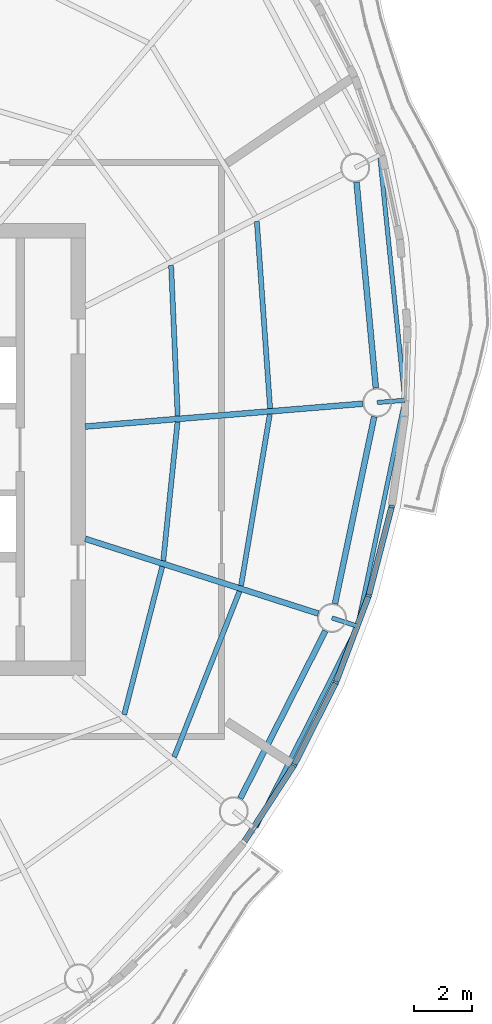
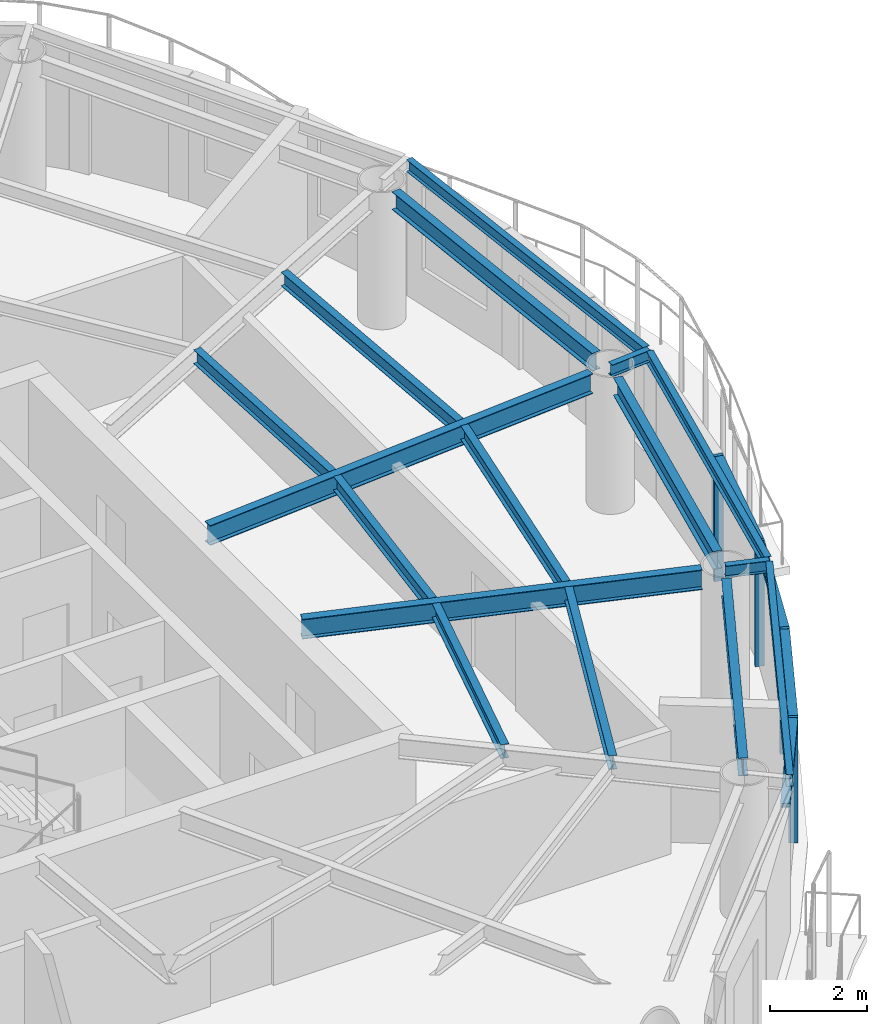
# One storey, part 4 of 13: 16 beams, 8 members, 4 elements without a shape of their own.
"""IFC4 building model written with IfcOpenShell, lengths in metres."""

import ifcopenshell
import ifcopenshell.guid

model = None  # the IFC model being written
_history = None  # IfcOwnerHistory: only IFC2X3 demands one
_inside = {}  # id of a spatial element -> (the spatial element, [elements in it])
_under = {}  # id of a project, library or spatial element -> (it, [spatial elements below it])
_declared = {}  # id of a project -> (the project, [libraries it declares])
_typed = {}  # id of a type object -> (the type object, [elements of that type])
_made_of = {}  # id of a material, layer set ... -> (it, [elements and type objects made of it])


def new_model(schema):
    """Start an empty IFC model of exactly this schema.

    Asked for "IFC4X3", IfcOpenShell would pick the latest addendum, in which some entities
    have other attributes; the version numbers below select the first issue.
    IFC2X3 requires an IfcOwnerHistory on every rooted entity: one is made here for all.
    """
    global model, _history
    if schema == "IFC4X3":
        model = ifcopenshell.file(schema_version=(4, 3, 0, 0))
    else:
        model = ifcopenshell.file(schema=schema)
    _inside.clear()
    _under.clear()
    _declared.clear()
    _typed.clear()
    _made_of.clear()
    _history = None
    if model.schema == "IFC2X3":
        org = make("IfcOrganization", Name="unknown")
        user = make(
            "IfcPersonAndOrganization",
            ThePerson=make("IfcPerson", FamilyName="unknown"),
            TheOrganization=org,
        )
        app = make(
            "IfcApplication",
            ApplicationDeveloper=org,
            Version="unknown",
            ApplicationFullName="unknown",
            ApplicationIdentifier="unknown",
        )
        _history = make(
            "IfcOwnerHistory",
            OwningUser=user,
            OwningApplication=app,
            ChangeAction="ADDED",
            CreationDate=0,
        )
    return model


def make(cls, **values):
    """One entity of the class cls with the attributes given. An attribute that is None is left unset."""
    return model.create_entity(
        cls, **{name: value for name, value in values.items() if value is not None}
    )


def rooted(cls, **values):
    """An entity with a GlobalId (a new one), such as an element, a storey or a relation."""
    return make(cls, GlobalId=ifcopenshell.guid.new(), OwnerHistory=_history, **values)


def si_unit(unit_type, name, prefix=None):
    """IfcSIUnit, for example si_unit("LENGTHUNIT", "METRE", prefix="MILLI")."""
    return make("IfcSIUnit", UnitType=unit_type, Prefix=prefix, Name=name)


def assignment(units):
    """IfcUnitAssignment: the units of a project."""
    return None if units is None else make("IfcUnitAssignment", Units=units)


def point(xyz):
    """IfcCartesianPoint."""
    return None if xyz is None else make("IfcCartesianPoint", Coordinates=xyz)


def direction(xyz):
    """IfcDirection."""
    return None if xyz is None else make("IfcDirection", DirectionRatios=xyz)


def frame(location, z_axis=None, x_axis=None):
    """IfcAxis2Placement3D, a coordinate frame: its origin and axes. An axis left out is left unset."""
    return make(
        "IfcAxis2Placement3D",
        Location=point(location),
        Axis=direction(z_axis),
        RefDirection=direction(x_axis),
    )


def frame_2d(location, x_axis=None):
    """IfcAxis2Placement2D, a coordinate frame in the plane: its origin and x axis."""
    return make(
        "IfcAxis2Placement2D", Location=point(location), RefDirection=direction(x_axis)
    )


def origin():
    """The frame at (0, 0, 0) with its axes left unset."""
    return frame((0.0, 0.0, 0.0))


def origin_2d():
    """The frame at (0, 0) in the plane with its x axis left unset."""
    return frame_2d((0.0, 0.0))


def place(relative_to, where):
    """IfcLocalPlacement: puts the frame where relative to a parent placement (None: the world)."""
    return make(
        "IfcLocalPlacement", PlacementRelTo=relative_to, RelativePlacement=where
    )


def context(
    kind, dimensions, precision=None, world=None, true_north=None, identifier=None
):
    """IfcGeometricRepresentationContext, for example the 3D "Model" context."""
    return make(
        "IfcGeometricRepresentationContext",
        ContextIdentifier=identifier,
        ContextType=kind,
        CoordinateSpaceDimension=dimensions,
        Precision=precision,
        WorldCoordinateSystem=world,
        TrueNorth=true_north,
    )


def subcontext(parent, identifier, kind, view, scale=None):
    """IfcGeometricRepresentationSubContext, for example "Body" below "Model"."""
    return make(
        "IfcGeometricRepresentationSubContext",
        ContextIdentifier=identifier,
        ContextType=kind,
        ParentContext=parent,
        TargetScale=scale,
        TargetView=view,
    )


def project(units=None, contexts=None):
    """IfcProject with its units and contexts."""
    return rooted(
        "IfcProject",
        Name="project",
        RepresentationContexts=contexts,
        UnitsInContext=assignment(units),
    )


def spatial(cls, under=None, at=None, **own):
    """A site, building, storey or space (cls), placed at a placement, below another one or the project."""
    s = rooted(cls, ObjectPlacement=at, **own)
    if under is not None:
        _under.setdefault(under.id(), (under, []))[1].append(s)
    return s


def profile(cls, at=None, kind="AREA", **sizes):
    """A parametric profile (cls). Its sizes go by their IFC names, for example OverallWidth=200.0."""
    return make(cls, ProfileType=kind, Position=at, **sizes)


def rectangle(**sizes):
    """IfcRectangleProfileDef."""
    return profile("IfcRectangleProfileDef", **sizes)


def i_section(**sizes):
    """IfcIShapeProfileDef."""
    return profile("IfcIShapeProfileDef", **sizes)


def extrude(swept, where, along, depth):
    """IfcExtrudedAreaSolid: the profile swept, set in the frame where, extruded along a direction by depth."""
    return make(
        "IfcExtrudedAreaSolid",
        SweptArea=swept,
        Position=where,
        ExtrudedDirection=direction(along),
        Depth=depth,
    )


def shape(context_of_items, identifier, shape_type, items):
    """IfcShapeRepresentation: the items that make up one representation, for example the "Body"."""
    return make(
        "IfcShapeRepresentation",
        ContextOfItems=context_of_items,
        RepresentationIdentifier=identifier,
        RepresentationType=shape_type,
        Items=items,
    )


def material(Name=None, Category=None):
    """IfcMaterial."""
    return make("IfcMaterial", Name=Name, Category=Category)


def material_profile(
    of_material, cross_section, Name=None, Category=None, Priority=None
):
    """IfcMaterialProfile: a cross section and its material."""
    return make(
        "IfcMaterialProfile",
        Name=Name,
        Material=of_material,
        Profile=cross_section,
        Priority=Priority,
        Category=Category,
    )


def profile_set(profiles, Name=None, composite=None):
    """IfcMaterialProfileSet."""
    return make(
        "IfcMaterialProfileSet",
        Name=Name,
        MaterialProfiles=profiles,
        CompositeProfile=composite,
    )


def made_of(thing, what):
    """Note that an element or type object is made of a material, layer set ...; save() writes the relation."""
    if what is not None:
        _made_of.setdefault(what.id(), (what, []))[1].append(thing)
    return thing


def type_object(cls, material=None, **own):
    """A type object (cls), such as IfcWallType, which elements share."""
    return made_of(rooted(cls, **own), material)


def element(
    cls,
    number,
    at=None,
    inside=None,
    cuts=None,
    type_object=None,
    material=None,
    context=None,
    identifier="Body",
    shape_type=None,
    held_by="IfcProductDefinitionShape",
    body=None,
    shapes=None,
    **own,
):
    """One element of the class cls, such as IfcWall. Its Tag is "e" and its number.

    at: its placement. inside: the storey or other place that contains it. cuts: it is an
    opening in that element (IfcRelVoidsElement). A single representation is given by context,
    identifier, shape_type and body (its items); several are given by shapes. held_by: the class
    of the entity that holds the representations. save() writes the other relations.
    """
    e = rooted(cls, Tag="e%d" % number, ObjectPlacement=at, **own)
    if body is not None:
        shapes = [shape(context, identifier, shape_type, body)]
    if shapes is not None:
        e.Representation = make(held_by, Representations=shapes)
    if inside is not None:
        _inside.setdefault(inside.id(), (inside, []))[1].append(e)
    if cuts is not None:
        rooted(
            "IfcRelVoidsElement", RelatingBuildingElement=cuts, RelatedOpeningElement=e
        )
    if type_object is not None:
        _typed.setdefault(type_object.id(), (type_object, []))[1].append(e)
    return made_of(e, material)


def aggregate(whole, parts):
    """IfcRelAggregates: a whole, such as a stair, and the parts it consists of."""
    return rooted("IfcRelAggregates", RelatingObject=whole, RelatedObjects=parts)


def save(model, path):
    """Write the relations noted so far, then the file.

    IfcRelAggregates (storeys below a building ...), IfcRelContainedInSpatialStructure (elements
    in a storey), IfcRelDefinesByType, IfcRelAssociatesMaterial and IfcRelDeclares: one each for
    every whole, place, type object, material and project.
    """
    for whole, parts in _under.values():
        aggregate(whole, parts)
    for where, things in _inside.values():
        rooted(
            "IfcRelContainedInSpatialStructure",
            RelatedElements=things,
            RelatingStructure=where,
        )
    for kind, things in _typed.values():
        rooted("IfcRelDefinesByType", RelatedObjects=things, RelatingType=kind)
    for what, things in _made_of.values():
        rooted("IfcRelAssociatesMaterial", RelatedObjects=things, RelatingMaterial=what)
    for by, libraries in _declared.values():
        rooted("IfcRelDeclares", RelatingContext=by, RelatedDefinitions=libraries)
    model.write(path)


model = new_model("IFC4")

# Units and contexts
model_context = context("Model", 3, precision=1e-05, world=origin(), true_north=direction((0.0, 1.0)))
body_context = subcontext(model_context, "Body", "Model", "MODEL_VIEW")
ifc_project = project(units=[si_unit("LENGTHUNIT", "METRE"), si_unit("AREAUNIT", "SQUARE_METRE"), si_unit("VOLUMEUNIT", "CUBIC_METRE"), si_unit("PLANEANGLEUNIT", "RADIAN"), si_unit("MASSUNIT", "GRAM", prefix="KILO")], contexts=[model_context])

# Site, building, storey
site_placement = place(None, origin())
site = spatial("IfcSite", under=ifc_project, at=site_placement, CompositionType="ELEMENT")
building_placement = place(site_placement, origin())
building = spatial("IfcBuilding", under=site, at=building_placement, Name="Vermilion Reach Broadcast Tower", CompositionType="ELEMENT")
storey_placement = place(building_placement, frame((0.0, 0.0, 297.300048828125)))
storey = spatial("IfcBuildingStorey", under=building, at=storey_placement, Name="L74", CompositionType="ELEMENT", Elevation=297.300048828125)

# Beams
ifc_material_1 = material(Name="Steel S355J2", Category="steel")
ifc_material_profile_1 = material_profile(ifc_material_1, i_section(OverallWidth=0.14990234375, OverallDepth=0.300048828125, WebThickness=0.006591796875, FlangeThickness=0.009033203125, at=origin_2d()), Name="S355J2 HN 300x150x6.5x9")
ifc_profile_set_1 = profile_set([ifc_material_profile_1], Name="Steel S355J2")
beam_type_1 = type_object("IfcBeamType", Name="EB5 HN 300x150x6.5x9", PredefinedType="BEAM", material=ifc_profile_set_1)
beam_1_placement = place(storey_placement, frame((9.48291015625, -13.02734375, 3.300048828125), z_axis=(0.451232435887, 0.892406459414, 0.0), x_axis=(-0.892406459414, 0.451232435887, 0.0)))
element("IfcBeam", 1, at=beam_1_placement, inside=storey, type_object=beam_type_1, Name="Edge beam EB5-12", PredefinedType="BEAM", context=body_context, shape_type="SweptSolid", body=[
    extrude(i_section(OverallWidth=0.14990234375, OverallDepth=0.300048828125, WebThickness=0.006591796875, FlangeThickness=0.009033203125, at=origin_2d()), origin(), (0.0, 0.0, 1.0), 7.6943359375),
])
beam_2_placement = place(storey_placement, frame((13.00439453125, -6.019287109375, 3.300048828125), z_axis=(0.204738436734, 0.978816720599, 0.0), x_axis=(-0.978816720599, 0.204738436734, 0.0)))
element("IfcBeam", 2, at=beam_2_placement, inside=storey, type_object=beam_type_1, Name="Edge beam EB5-13", PredefinedType="BEAM", context=body_context, shape_type="SweptSolid", body=[
    extrude(i_section(OverallWidth=0.14990234375, OverallDepth=0.300048828125, WebThickness=0.006591796875, FlangeThickness=0.009033203125, at=origin_2d()), origin(), (0.0, 0.0, 1.0), 7.806884765625),
])
beam_3_placement = place(storey_placement, frame((14.611083984375, 1.7734375, 3.300048828125), z_axis=(-0.102011792202, 0.99478318957, 0.0), x_axis=(-0.99478318957, -0.102011792202, 0.0)))
element("IfcBeam", 3, at=beam_3_placement, inside=storey, type_object=beam_type_1, Name="Edge beam EB5-14", PredefinedType="BEAM", context=body_context, shape_type="SweptSolid", body=[
    extrude(i_section(OverallWidth=0.14990234375, OverallDepth=0.300048828125, WebThickness=0.006591796875, FlangeThickness=0.009033203125, at=origin_2d()), origin(), (0.0, 0.0, 1.0), 8.34521484375),
])
ifc_material_2 = material(Name="Steel S355J2", Category="steel")
ifc_material_profile_2 = material_profile(ifc_material_2, i_section(OverallWidth=0.199951171875, OverallDepth=0.5, WebThickness=0.010009765625, FlangeThickness=0.01611328125, at=origin_2d()), Name="S355J2 HN 500x200x10x16")
ifc_profile_set_2 = profile_set([ifc_material_profile_2], Name="Steel S355J2")
beam_type_2 = type_object("IfcBeamType", Name="G5 HN 500x200x10x16", PredefinedType="BEAM", material=ifc_profile_set_2)
beam_4_placement = place(storey_placement, frame((3.60009765625, -3.080322265625, 3.199951171875), z_axis=(0.952178453449, -0.305542456604, 0.0), x_axis=(0.305542456604, 0.952178453449, 0.0)))
element("IfcBeam", 4, at=beam_4_placement, inside=storey, type_object=beam_type_2, Name="Girder G5-13", PredefinedType="BEAM", context=body_context, shape_type="SweptSolid", body=[
    extrude(i_section(OverallWidth=0.199951171875, OverallDepth=0.5, WebThickness=0.010009765625, FlangeThickness=0.01611328125, at=origin_2d()), origin(), (0.0, 0.0, 1.0), 8.43310546875),
])
beam_5_placement = place(storey_placement, frame((3.60009765625, 0.791015625, 3.199951171875), z_axis=(0.996624410075, 0.082096195058, 0.0), x_axis=(-0.082096195058, 0.996624410075, 0.0)))
element("IfcBeam", 5, at=beam_5_placement, inside=storey, type_object=beam_type_2, Name="Girder G5-14", PredefinedType="BEAM", context=body_context, shape_type="SweptSolid", body=[
    extrude(i_section(OverallWidth=0.199951171875, OverallDepth=0.5, WebThickness=0.010009765625, FlangeThickness=0.01611328125, at=origin_2d()), origin(), (0.0, 0.0, 1.0), 9.599609375),
])
ifc_material_3 = material(Name="Steel S355J2", Category="steel")
ifc_material_profile_3 = material_profile(ifc_material_3, i_section(OverallWidth=0.14990234375, OverallDepth=0.300048828125, WebThickness=0.006591796875, FlangeThickness=0.009033203125, at=origin_2d()), Name="S355J2 HN 300x150x6.5x9")
ifc_profile_set_3 = profile_set([ifc_material_profile_3], Name="Steel S355J2")
beam_type_3 = type_object("IfcBeamType", Name="GS5 HN 300x150x6.5x9", PredefinedType="BEAM", material=ifc_profile_set_3)
beam_6_placement = place(storey_placement, frame((12.10595703125, -5.809814453125, 3.300048828125), z_axis=(0.952228317443, -0.305387019141, 0.0), x_axis=(0.305387019141, 0.952228317443, 0.0)))
element("IfcBeam", 6, at=beam_6_placement, inside=storey, type_object=beam_type_3, Name="Cantilever stub GS5-13", PredefinedType="BEAM", context=body_context, shape_type="SweptSolid", body=[
    extrude(i_section(OverallWidth=0.14990234375, OverallDepth=0.300048828125, WebThickness=0.006591796875, FlangeThickness=0.009033203125, at=origin_2d()), origin(), (0.0, 0.0, 1.0), 0.92724609375),
])
beam_7_placement = place(storey_placement, frame((13.665771484375, 1.620361328125, 3.300048828125), z_axis=(0.996634988565, 0.081967673925, 0.0), x_axis=(-0.081967673925, 0.996634988565, 0.0)))
element("IfcBeam", 7, at=beam_7_placement, inside=storey, type_object=beam_type_3, Name="Cantilever stub GS5-14", PredefinedType="BEAM", context=body_context, shape_type="SweptSolid", body=[
    extrude(i_section(OverallWidth=0.14990234375, OverallDepth=0.300048828125, WebThickness=0.006591796875, FlangeThickness=0.009033203125, at=origin_2d()), origin(), (0.0, 0.0, 1.0), 0.9560546875),
])
ifc_material_4 = material(Name="Steel S355J2", Category="steel")
ifc_material_profile_4 = material_profile(ifc_material_4, i_section(OverallWidth=0.199951171875, OverallDepth=0.449951171875, WebThickness=0.009033203125, FlangeThickness=0.013916015625, at=origin_2d()), Name="S355J2 HN 450x200x9x14")
ifc_profile_set_4 = profile_set([ifc_material_profile_4], Name="Steel S355J2")
beam_type_4 = type_object("IfcBeamType", Name="RB5 HN 450x200x9x14", PredefinedType="BEAM", material=ifc_profile_set_4)
beam_8_placement = place(storey_placement, frame((8.944091796875, -12.03125, 3.224853515625), z_axis=(0.453052302855, 0.891483937532, 0.0), x_axis=(-0.891483937532, 0.453052302855, 0.0)))
element("IfcBeam", 8, at=beam_8_placement, inside=storey, type_object=beam_type_4, Name="Ring beam RB5-12", PredefinedType="BEAM", context=body_context, shape_type="SweptSolid", body=[
    extrude(i_section(OverallWidth=0.199951171875, OverallDepth=0.449951171875, WebThickness=0.009033203125, FlangeThickness=0.013916015625, at=origin_2d()), origin(), (0.0, 0.0, 1.0), 6.47900390625),
])
beam_9_placement = place(storey_placement, frame((12.208740234375, -5.3203125, 3.224853515625), z_axis=(0.205444869285, 0.978668690459, 0.0), x_axis=(-0.978668690459, 0.205444869285, 0.0)))
element("IfcBeam", 9, at=beam_9_placement, inside=storey, type_object=beam_type_4, Name="Ring beam RB5-13", PredefinedType="BEAM", context=body_context, shape_type="SweptSolid", body=[
    extrude(i_section(OverallWidth=0.199951171875, OverallDepth=0.449951171875, WebThickness=0.009033203125, FlangeThickness=0.013916015625, at=origin_2d()), origin(), (0.0, 0.0, 1.0), 6.591796875),
])
beam_10_placement = place(storey_placement, frame((13.618896484375, 2.1181640625, 3.224853515625), z_axis=(-0.093441399272, 0.995624781181, 0.0), x_axis=(-0.995624781181, -0.093441399272, 0.0)))
element("IfcBeam", 10, at=beam_10_placement, inside=storey, type_object=beam_type_4, Name="Ring beam RB5-14", PredefinedType="BEAM", context=body_context, shape_type="SweptSolid", body=[
    extrude(i_section(OverallWidth=0.199951171875, OverallDepth=0.449951171875, WebThickness=0.009033203125, FlangeThickness=0.013916015625, at=origin_2d()), origin(), (0.0, 0.0, 1.0), 7.135498046875),
])
ifc_material_5 = material(Name="Steel S355J2", Category="steel")
ifc_material_profile_5 = material_profile(ifc_material_5, i_section(OverallWidth=0.175048828125, OverallDepth=0.35009765625, WebThickness=0.007080078125, FlangeThickness=0.010986328125, at=origin_2d()), Name="S355J2 HN 350x175x7x11")
ifc_profile_set_5 = profile_set([ifc_material_profile_5], Name="Steel S355J2")
beam_type_5 = type_object("IfcBeamType", Name="SB5 HN 350x175x7x11", PredefinedType="BEAM", material=ifc_profile_set_5)
beam_11_placement = place(storey_placement, frame((4.940185546875, -9.1435546875, 3.27490234375), z_axis=(0.248729575729, 0.968572969971, 0.0), x_axis=(-0.968572969971, 0.248729575729, 0.0)))
element("IfcBeam", 11, at=beam_11_placement, inside=storey, type_object=beam_type_5, Name="Secondary beam SB5-12-1", PredefinedType="BEAM", context=body_context, shape_type="SweptSolid", body=[
    extrude(i_section(OverallWidth=0.175048828125, OverallDepth=0.35009765625, WebThickness=0.007080078125, FlangeThickness=0.010986328125, at=origin_2d()), origin(), (0.0, 0.0, 1.0), 5.27294921875),
])
beam_12_placement = place(storey_placement, frame((6.6630859375, -10.604248046875, 3.27490234375), z_axis=(0.366931189603, 0.930248086317, 0.0), x_axis=(-0.930248086317, 0.366931189603, 0.0)))
element("IfcBeam", 12, at=beam_12_placement, inside=storey, type_object=beam_type_5, Name="Secondary beam SB5-12-2", PredefinedType="BEAM", context=body_context, shape_type="SweptSolid", body=[
    extrude(i_section(OverallWidth=0.175048828125, OverallDepth=0.35009765625, WebThickness=0.007080078125, FlangeThickness=0.010986328125, at=origin_2d()), origin(), (0.0, 0.0, 1.0), 6.141357421875),
])
beam_13_placement = place(storey_placement, frame((6.287109375, -3.837646484375, 3.27490234375), z_axis=(0.102113775264, 0.994772726255, 0.0), x_axis=(-0.994772726255, 0.102113775264, 0.0)))
element("IfcBeam", 13, at=beam_13_placement, inside=storey, type_object=beam_type_5, Name="Secondary beam SB5-13-1", PredefinedType="BEAM", context=body_context, shape_type="SweptSolid", body=[
    extrude(i_section(OverallWidth=0.175048828125, OverallDepth=0.35009765625, WebThickness=0.007080078125, FlangeThickness=0.010986328125, at=origin_2d()), origin(), (0.0, 0.0, 1.0), 4.815185546875),
])
beam_14_placement = place(storey_placement, frame((8.969970703125, -4.698486328125, 3.27490234375), z_axis=(0.16532337011, 0.986239414795, 0.0), x_axis=(-0.986239414795, 0.16532337011, 0.0)))
element("IfcBeam", 14, at=beam_14_placement, inside=storey, type_object=beam_type_5, Name="Secondary beam SB5-13-2", PredefinedType="BEAM", context=body_context, shape_type="SweptSolid", body=[
    extrude(i_section(OverallWidth=0.175048828125, OverallDepth=0.35009765625, WebThickness=0.007080078125, FlangeThickness=0.010986328125, at=origin_2d()), origin(), (0.0, 0.0, 1.0), 5.99560546875),
])
beam_15_placement = place(storey_placement, frame((6.78466796875, 1.153564453125, 3.27490234375), z_axis=(-0.043557530017, 0.999050920413, 0.0), x_axis=(-0.999050920413, -0.043557530017, 0.0)))
element("IfcBeam", 15, at=beam_15_placement, inside=storey, type_object=beam_type_5, Name="Secondary beam SB5-14-1", PredefinedType="BEAM", context=body_context, shape_type="SweptSolid", body=[
    extrude(i_section(OverallWidth=0.175048828125, OverallDepth=0.35009765625, WebThickness=0.007080078125, FlangeThickness=0.010986328125, at=origin_2d()), origin(), (0.0, 0.0, 1.0), 5.19580078125),
])
beam_16_placement = place(storey_placement, frame((9.97119140625, 1.416259765625, 3.27490234375), z_axis=(-0.070586780458, 0.997505642302, 0.0), x_axis=(-0.997505642302, -0.070586780458, 0.0)))
element("IfcBeam", 16, at=beam_16_placement, inside=storey, type_object=beam_type_5, Name="Secondary beam SB5-14-2", PredefinedType="BEAM", context=body_context, shape_type="SweptSolid", body=[
    extrude(i_section(OverallWidth=0.175048828125, OverallDepth=0.35009765625, WebThickness=0.007080078125, FlangeThickness=0.010986328125, at=origin_2d()), origin(), (0.0, 0.0, 1.0), 6.46435546875),
])

# Curtain wall, member
ifc_material_6 = material(Name="Low-e laminated clear glass in aluminium frame", Category="aluminium")
curtain_wall_type = type_object("IfcCurtainWallType", Name="Slot curtain wall", PredefinedType="NOTDEFINED", material=ifc_material_6)
placement = place(storey_placement, origin())
curtain_wall_1 = element("IfcCurtainWall", 17, at=placement, inside=storey, type_object=curtain_wall_type, Name="Slot curtain wall L74 35", PredefinedType="NOTDEFINED")
ifc_material_7 = material(Name="Anodised aluminium", Category="aluminium")
ifc_material_profile_6 = material_profile(ifc_material_7, rectangle(XDim=0.199951171875, YDim=0.080078125, at=origin_2d()), Name="Slot mullion 80 x 200")
ifc_profile_set_6 = profile_set([ifc_material_profile_6], Name="Anodised aluminium")
member_type_1 = type_object("IfcMemberType", Name="Slot mullion 80 x 200", PredefinedType="MULLION", material=ifc_profile_set_6)
member_1_placement = place(storey_placement, frame((10.799072265625, -10.881103515625, 0.0), z_axis=(0.0, 0.0, 1.0), x_axis=(-0.866671207675, 0.498879762855, 0.0)))
member_1 = element("IfcMember", 18, at=member_1_placement, type_object=member_type_1, Name="Slot mullion L74 35", PredefinedType="MULLION", context=body_context, shape_type="SweptSolid", body=[
    extrude(rectangle(XDim=0.199951171875, YDim=0.080078125, at=origin_2d()), origin(), (0.0, 0.0, 1.0), 3.14990234375),
])

curtain_wall_2 = element("IfcCurtainWall", 19, at=placement, inside=storey, type_object=curtain_wall_type, Name="Slot curtain wall L74 36", PredefinedType="NOTDEFINED")
member_2_placement = place(storey_placement, frame((12.241455078125, -8.0302734375, 0.0), z_axis=(0.0, 0.0, 1.0), x_axis=(-0.915241186179, 0.402906404916, 0.0)))
member_2 = element("IfcMember", 20, at=member_2_placement, type_object=member_type_1, Name="Slot mullion L74 36", PredefinedType="MULLION", context=body_context, shape_type="SweptSolid", body=[
    extrude(rectangle(XDim=0.199951171875, YDim=0.080078125, at=origin_2d()), origin(), (0.0, 0.0, 1.0), 3.14990234375),
])

# Curtain wall, members
curtain_wall_3 = element("IfcCurtainWall", 21, at=placement, inside=storey, type_object=curtain_wall_type, Name="Slot curtain wall L74 37", PredefinedType="NOTDEFINED")
member_3_placement = place(storey_placement, frame((13.369873046875, -5.041259765625, 0.0), z_axis=(0.0, 0.0, 1.0), x_axis=(-0.953221882302, 0.302271472522, 0.0)))
member_3 = element("IfcMember", 22, at=member_3_placement, type_object=member_type_1, Name="Slot mullion L74 37", PredefinedType="MULLION", context=body_context, shape_type="SweptSolid", body=[
    extrude(rectangle(XDim=0.199951171875, YDim=0.080078125, at=origin_2d()), origin(), (0.0, 0.0, 1.0), 3.14990234375),
])
member_4_placement = place(storey_placement, frame((14.16552734375, -1.966064453125, 0.0), z_axis=(0.0, 0.0, 1.0), x_axis=(-0.980412260893, 0.196956337014, 0.0)))
member_4 = element("IfcMember", 23, at=member_4_placement, type_object=member_type_1, Name="Slot mullion L74 38", PredefinedType="MULLION", context=body_context, shape_type="SweptSolid", body=[
    extrude(rectangle(XDim=0.199951171875, YDim=0.080078125, at=origin_2d()), origin(), (0.0, 0.0, 1.0), 3.14990234375),
])

# Curtain wall, member
curtain_wall_4 = element("IfcCurtainWall", 24, at=placement, inside=storey, type_object=curtain_wall_type, Name="Slot curtain wall L74 34", PredefinedType="NOTDEFINED")
ifc_material_8 = material(Name="Anodised aluminium", Category="aluminium")
ifc_material_profile_7 = material_profile(ifc_material_8, rectangle(XDim=0.199951171875, YDim=0.10009765625, at=origin_2d()), Name="Slot transom 200 x 100")
ifc_profile_set_7 = profile_set([ifc_material_profile_7], Name="Anodised aluminium")
member_type_2 = type_object("IfcMemberType", Name="Slot transom 200 x 100", PredefinedType="USERDEFINED", material=ifc_profile_set_7)
member_5_placement = place(storey_placement, frame((9.090087890625, -13.510986328125, 3.099853515625), z_axis=(0.544891350732, 0.838506658231, 0.0), x_axis=(-0.838506658231, 0.544891350732, 0.0)))
member_5 = element("IfcMember", 25, at=member_5_placement, type_object=member_type_2, Name="Slot transom L74 34.1", ObjectType="TRANSOM", PredefinedType="USERDEFINED", context=body_context, shape_type="SweptSolid", body=[
    extrude(rectangle(XDim=0.199951171875, YDim=0.10009765625, at=origin_2d()), origin(), (0.0, 0.0, 1.0), 3.096435546875),
])
aggregate(curtain_wall_4, [member_5])

# Member
member_6_placement = place(storey_placement, frame((10.817138671875, -10.845458984375, 3.099853515625), z_axis=(0.451440846853, 0.892301048858, 0.0), x_axis=(-0.892301048858, 0.451440846853, 0.0)))
member_6 = element("IfcMember", 26, at=member_6_placement, type_object=member_type_2, Name="Slot transom L74 35.1", ObjectType="TRANSOM", PredefinedType="USERDEFINED", context=body_context, shape_type="SweptSolid", body=[
    extrude(rectangle(XDim=0.199951171875, YDim=0.10009765625, at=origin_2d()), origin(), (0.0, 0.0, 1.0), 3.114990234375),
])

aggregate(curtain_wall_1, [member_1, member_6])

member_7_placement = place(storey_placement, frame((12.255615234375, -7.99267578125, 3.099853515625), z_axis=(0.353184114299, 0.935553836723, 0.0), x_axis=(-0.935553836723, 0.353184114299, 0.0)))
member_7 = element("IfcMember", 27, at=member_7_placement, type_object=member_type_2, Name="Slot transom L74 36.1", ObjectType="TRANSOM", PredefinedType="USERDEFINED", context=body_context, shape_type="SweptSolid", body=[
    extrude(rectangle(XDim=0.199951171875, YDim=0.10009765625, at=origin_2d()), origin(), (0.0, 0.0, 1.0), 3.11474609375),
])

aggregate(curtain_wall_2, [member_2, member_7])

member_8_placement = place(storey_placement, frame((13.3798828125, -5.00244140625, 3.099853515625), z_axis=(0.250486026759, 0.968120214849, 0.0), x_axis=(-0.968120214849, 0.250486026759, 0.0)))
member_8 = element("IfcMember", 28, at=member_8_placement, type_object=member_type_2, Name="Slot transom L74 37.1", ObjectType="TRANSOM", PredefinedType="USERDEFINED", context=body_context, shape_type="SweptSolid", body=[
    extrude(rectangle(XDim=0.199951171875, YDim=0.10009765625, at=origin_2d()), origin(), (0.0, 0.0, 1.0), 3.096435546875),
])

aggregate(curtain_wall_3, [member_3, member_4, member_8])

save(model, "model.ifc")
